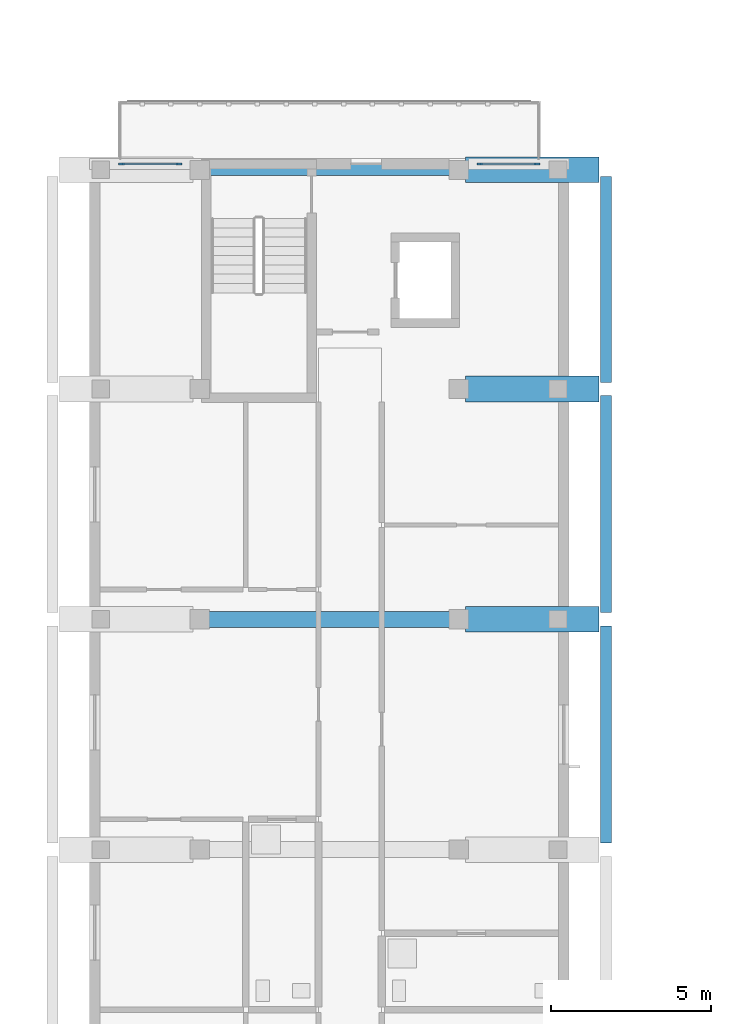
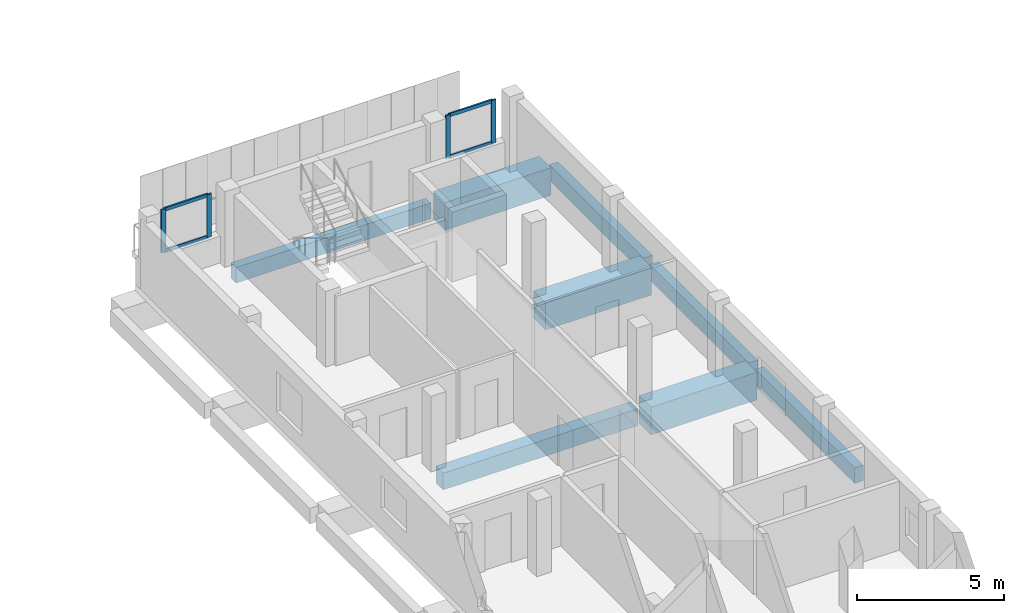
# One storey, part 7 of 38: 8 beams, 8 members, 2 elements without a shape of their own.
"""IFC4 building model written with IfcOpenShell, lengths in metres."""

from ifc_helpers import new_model, si_unit, derived_unit, direction, frame, origin, origin_2d, place, context, subcontext, project, spatial, rectangle, extrude, material, layer, layer_set, material_profile, profile_set, type_object, element, aggregate, save


model = new_model("IFC4")

# Units and contexts
model_context = context("Model", 3, precision=1e-05, world=origin(), true_north=direction((0.0, 1.0)))
body_context = subcontext(model_context, "Body", "Model", "MODEL_VIEW")
ifc_project = project(units=[si_unit("LENGTHUNIT", "METRE"), si_unit("AREAUNIT", "SQUARE_METRE"), si_unit("VOLUMEUNIT", "CUBIC_METRE"), si_unit("PLANEANGLEUNIT", "RADIAN"), si_unit("MASSUNIT", "GRAM", prefix="KILO"), derived_unit("THERMALTRANSMITTANCEUNIT", [(si_unit("MASSUNIT", "GRAM", prefix="KILO"), 1), (si_unit("TIMEUNIT", "SECOND"), -3), (si_unit("THERMODYNAMICTEMPERATUREUNIT", "KELVIN"), -1)])], contexts=[model_context])

# Site, building, storey
site_placement = place(None, origin())
site = spatial("IfcSite", under=ifc_project, at=site_placement, CompositionType="ELEMENT")
building_placement = place(site_placement, origin())
building = spatial("IfcBuilding", under=site, at=building_placement, Name="Ochrekiln Boulevard Commons", CompositionType="ELEMENT")
storey_placement = place(building_placement, frame((0.0, 0.0, 24.675048828125)))
storey = spatial("IfcBuildingStorey", under=building, at=storey_placement, Name="L07", CompositionType="ELEMENT", Elevation=24.675048828125)

# Beams
ifc_material_1 = material(Name="Concrete C40/50", Category="concrete")
ifc_material_profile_1 = material_profile(ifc_material_1, rectangle(XDim=0.5, YDim=0.699951171875, at=origin_2d()), Name="RC-BM-500x700")
ifc_profile_set_1 = profile_set([ifc_material_profile_1], Name="Concrete C40/50")
beam_type_1 = type_object("IfcBeamType", Name="BM-RC-500x700", PredefinedType="BEAM", material=ifc_profile_set_1)
beam_1_placement = place(storey_placement, frame((156.360107421875, 36.0, -0.610107421875), z_axis=(1.0, 0.0, 0.0), x_axis=(0.0, 1.0, 0.0)))
element("IfcBeam", 1, at=beam_1_placement, inside=storey, type_object=beam_type_1, Name="Block C L07 Beam B-5070 X16", PredefinedType="BEAM", context=body_context, shape_type="SweptSolid", body=[
    extrude(rectangle(XDim=0.5, YDim=0.699951171875, at=origin_2d()), origin(), (0.0, 0.0, 1.0), 7.679931640625),
])
ifc_material_profile_2 = material_profile(ifc_material_1, rectangle(XDim=0.800048828125, YDim=1.14990234375, at=origin_2d()), Name="RC-TRG-800x1150")
ifc_profile_set_2 = profile_set([ifc_material_profile_2], Name="Concrete C40/50")
beam_type_2 = type_object("IfcBeamType", Name="BM-TRG-800x1150", PredefinedType="BEAM", material=ifc_profile_set_2)
for number, where, z_axis, x_axis, name in (
    (2, (164.4599609375, 36.0, -0.8349609375), (1.0, 0.0, 0.0), (0.0, 1.0, 0.0), "Block C L07 Beam TG-01 X17"),
    (3, (164.4599609375, 43.199951171875, -0.8349609375), (1.0, 0.0, 0.0), (0.0, 1.0, 0.0), "Block C L07 Beam TG-01 X19"),
    (4, (164.4599609375, 50.050048828125, -0.8349609375), (1.0, 0.0, 0.0), (0.0, 1.0, 0.0), "Block C L07 Beam TG-01 X22"),
):
    element("IfcBeam", number, at=place(storey_placement, frame(where, z_axis=z_axis, x_axis=x_axis)), inside=storey, type_object=beam_type_2, Name=name, PredefinedType="BEAM", context=body_context, shape_type="SweptSolid", body=[
        extrude(rectangle(XDim=0.800048828125, YDim=1.14990234375, at=origin_2d()), origin(), (0.0, 0.0, 1.0), 4.179931640625),
    ])

# Curtain wall, members
ifc_material_2 = material(Name="Bronze-anodized extruded aluminium 6063-T6", Category="aluminium")
ifc_layer = layer(ifc_material_2, 0.18408203125)
ifc_layer_set = layer_set([ifc_layer], Name="Bronze-anodized extruded aluminium 6063-T6")
curtain_wall_type = type_object("IfcCurtainWallType", Name="CW-GABLE-B", PredefinedType="USERDEFINED", material=ifc_layer_set)
curtain_wall_1_placement = place(storey_placement, origin())
curtain_wall_1 = element("IfcCurtainWall", 5, at=curtain_wall_1_placement, inside=storey, type_object=curtain_wall_type, Name="Block C L07 Courtyard Glazed Gable Curtain Wall 1", ObjectType="GLAZED CURTAIN WALL", PredefinedType="USERDEFINED")
ifc_material_profile_3 = material_profile(ifc_material_2, rectangle(XDim=0.06494140625, YDim=0.179931640625, at=origin_2d()), Name="ALU-MUL-65x180")
ifc_profile_set_3 = profile_set([ifc_material_profile_3], Name="Bronze-anodized extruded aluminium 6063-T6")
member_type_1 = type_object("IfcMemberType", Name="CWM-65x180", PredefinedType="MULLION", material=ifc_profile_set_3)
member_1_placement = place(storey_placement, frame((153.702392578125, 50.235107421875, 1.10986328125), z_axis=(0.0, 0.0, 1.0), x_axis=(0.0, 1.0, 0.0)))
member_1 = element("IfcMember", 6, at=member_1_placement, type_object=member_type_1, Name="CW-02 mullion 1", PredefinedType="MULLION", context=body_context, shape_type="SweptSolid", body=[
    extrude(rectangle(XDim=0.06494140625, YDim=0.179931640625, at=origin_2d()), origin(), (0.0, 0.0, 1.0), 1.7900390625),
])
member_2_placement = place(storey_placement, frame((155.49755859375, 50.235107421875, 1.10986328125), z_axis=(0.0, 0.0, 1.0), x_axis=(0.0, 1.0, 0.0)))
member_2 = element("IfcMember", 7, at=member_2_placement, type_object=member_type_1, Name="CW-02 mullion 2", PredefinedType="MULLION", context=body_context, shape_type="SweptSolid", body=[
    extrude(rectangle(XDim=0.06494140625, YDim=0.179931640625, at=origin_2d()), origin(), (0.0, 0.0, 1.0), 1.7900390625),
])

curtain_wall_2_placement = place(storey_placement, origin())
curtain_wall_2 = element("IfcCurtainWall", 8, at=curtain_wall_2_placement, inside=storey, type_object=curtain_wall_type, Name="Block C L07 Courtyard Glazed Gable Curtain Wall 2", ObjectType="GLAZED CURTAIN WALL", PredefinedType="USERDEFINED")
member_3_placement = place(storey_placement, frame((164.902587890625, 50.235107421875, 1.10986328125), z_axis=(0.0, 0.0, 1.0), x_axis=(0.0, 1.0, 0.0)))
member_3 = element("IfcMember", 9, at=member_3_placement, type_object=member_type_1, Name="CW-02 mullion 1", PredefinedType="MULLION", context=body_context, shape_type="SweptSolid", body=[
    extrude(rectangle(XDim=0.06494140625, YDim=0.179931640625, at=origin_2d()), origin(), (0.0, 0.0, 1.0), 1.7900390625),
])
member_4_placement = place(storey_placement, frame((166.697509765625, 50.235107421875, 1.10986328125), z_axis=(0.0, 0.0, 1.0), x_axis=(0.0, 1.0, 0.0)))
member_4 = element("IfcMember", 10, at=member_4_placement, type_object=member_type_1, Name="CW-02 mullion 2", PredefinedType="MULLION", context=body_context, shape_type="SweptSolid", body=[
    extrude(rectangle(XDim=0.06494140625, YDim=0.179931640625, at=origin_2d()), origin(), (0.0, 0.0, 1.0), 1.7900390625),
])

# Member
ifc_material_profile_4 = material_profile(ifc_material_2, rectangle(XDim=0.06494140625, YDim=0.139892578125, at=origin_2d()), Name="ALU-TRN-65x140")
ifc_profile_set_4 = profile_set([ifc_material_profile_4], Name="Bronze-anodized extruded aluminium 6063-T6")
member_type_2 = type_object("IfcMemberType", Name="CWT-65x140", PredefinedType="USERDEFINED", material=ifc_profile_set_4)
member_5_placement = place(storey_placement, frame((153.735107421875, 50.235107421875, 1.142333984375), z_axis=(1.0, 0.0, 0.0), x_axis=(0.0, 1.0, 0.0)))
member_5 = element("IfcMember", 11, at=member_5_placement, type_object=member_type_2, Name="CW-02 transom 1.1", ObjectType="TRANSOM", PredefinedType="USERDEFINED", context=body_context, shape_type="SweptSolid", body=[
    extrude(rectangle(XDim=0.06494140625, YDim=0.139892578125, at=origin_2d()), origin(), (0.0, 0.0, 1.0), 1.72998046875),
])

member_6_placement = place(storey_placement, frame((153.735107421875, 50.235107421875, 2.867431640625), z_axis=(1.0, 0.0, 0.0), x_axis=(0.0, 1.0, 0.0)))
member_6 = element("IfcMember", 12, at=member_6_placement, type_object=member_type_2, Name="CW-02 transom 1.2", ObjectType="TRANSOM", PredefinedType="USERDEFINED", context=body_context, shape_type="SweptSolid", body=[
    extrude(rectangle(XDim=0.06494140625, YDim=0.139892578125, at=origin_2d()), origin(), (0.0, 0.0, 1.0), 1.72998046875),
])

aggregate(curtain_wall_1, [member_1, member_2, member_5, member_6])

member_7_placement = place(storey_placement, frame((164.93505859375, 50.235107421875, 1.142333984375), z_axis=(1.0, 0.0, 0.0), x_axis=(0.0, 1.0, 0.0)))
member_7 = element("IfcMember", 13, at=member_7_placement, type_object=member_type_2, Name="CW-02 transom 1.1", ObjectType="TRANSOM", PredefinedType="USERDEFINED", context=body_context, shape_type="SweptSolid", body=[
    extrude(rectangle(XDim=0.06494140625, YDim=0.139892578125, at=origin_2d()), origin(), (0.0, 0.0, 1.0), 1.72998046875),
])

member_8_placement = place(storey_placement, frame((164.93505859375, 50.235107421875, 2.867431640625), z_axis=(1.0, 0.0, 0.0), x_axis=(0.0, 1.0, 0.0)))
member_8 = element("IfcMember", 14, at=member_8_placement, type_object=member_type_2, Name="CW-02 transom 1.2", ObjectType="TRANSOM", PredefinedType="USERDEFINED", context=body_context, shape_type="SweptSolid", body=[
    extrude(rectangle(XDim=0.06494140625, YDim=0.139892578125, at=origin_2d()), origin(), (0.0, 0.0, 1.0), 1.72998046875),
])

aggregate(curtain_wall_2, [member_3, member_4, member_7, member_8])

# Beams
ifc_material_profile_5 = material_profile(ifc_material_1, rectangle(XDim=0.35009765625, YDim=0.64990234375, at=origin_2d()), Name="RC-SPN-350x650")
ifc_profile_set_5 = profile_set([ifc_material_profile_5], Name="Concrete C40/50")
beam_type_3 = type_object("IfcBeamType", Name="SPN-RC-350x650", PredefinedType="SPANDREL", material=ifc_profile_set_5)
beam_2_placement = place(storey_placement, frame((156.360107421875, 50.050048828125, -0.5849609375), z_axis=(1.0, 0.0, 0.0), x_axis=(0.0, 1.0, 0.0)))
element("IfcBeam", 15, at=beam_2_placement, inside=storey, type_object=beam_type_3, Name="Block C L07 Beam SP-3565 X21", PredefinedType="SPANDREL", context=body_context, shape_type="SweptSolid", body=[
    extrude(rectangle(XDim=0.35009765625, YDim=0.64990234375, at=origin_2d()), origin(), (0.0, 0.0, 1.0), 7.679931640625),
])
for number, where, z_axis, x_axis, name in (
    (16, (168.85009765625, 29.010009765625, -0.5849609375), (0.0, 1.0, 0.0), (-1.0, 0.0, 0.0), "Block C L07 Beam SP-3565 Y34"),
    (17, (168.85009765625, 36.2099609375, -0.5849609375), (0.0, 1.0, 0.0), (-1.0, 0.0, 0.0), "Block C L07 Beam SP-3565 Y35"),
):
    element("IfcBeam", number, at=place(storey_placement, frame(where, z_axis=z_axis, x_axis=x_axis)), inside=storey, type_object=beam_type_3, Name=name, PredefinedType="SPANDREL", context=body_context, shape_type="SweptSolid", body=[
        extrude(rectangle(XDim=0.35009765625, YDim=0.64990234375, at=origin_2d()), origin(), (0.0, 0.0, 1.0), 6.780029296875),
    ])
beam_3_placement = place(storey_placement, frame((168.85009765625, 43.409912109375, -0.5849609375), z_axis=(0.0, 1.0, 0.0), x_axis=(-1.0, 0.0, 0.0)))
element("IfcBeam", 18, at=beam_3_placement, inside=storey, type_object=beam_type_3, Name="Block C L07 Beam SP-3565 Y36", PredefinedType="SPANDREL", context=body_context, shape_type="SweptSolid", body=[
    extrude(rectangle(XDim=0.35009765625, YDim=0.64990234375, at=origin_2d()), origin(), (0.0, 0.0, 1.0), 6.43017578125),
])

save(model, "model.ifc")
